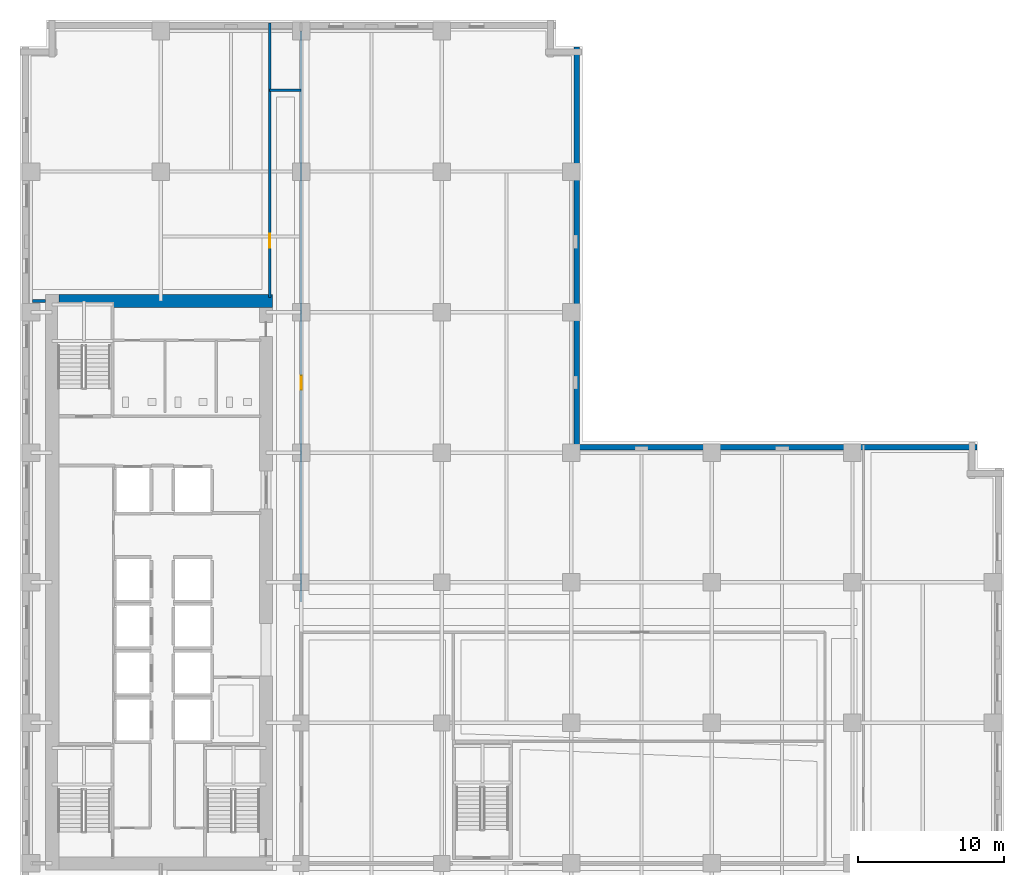
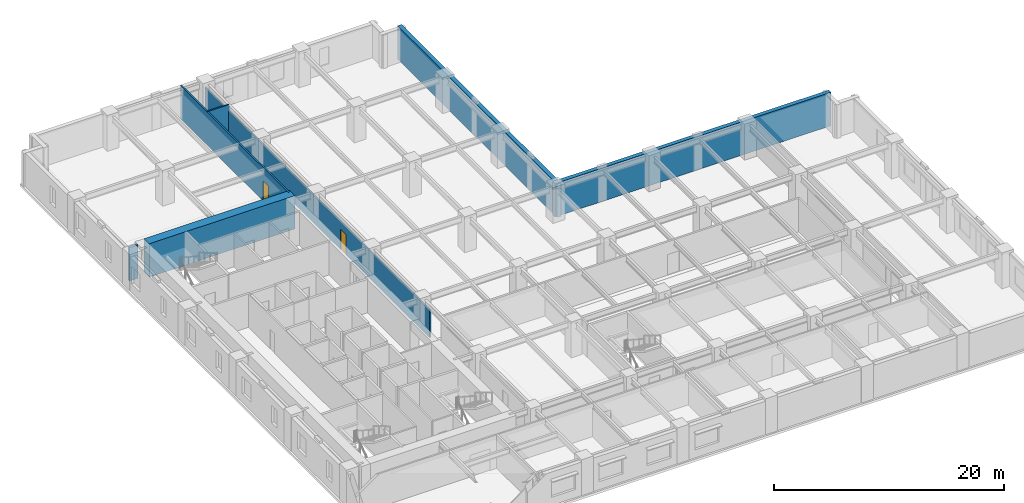
# One storey, part 7 of 14: 7 walls, 2 doors, 2 openings.
"""IFC4 building model written with IfcOpenShell, lengths in metres."""

from ifc_helpers import new_model, si_unit, direction, frame, frame_2d, origin, place, context, subcontext, project, spatial, rectangle, extrude, material, layer, layer_set, type_object, element, fill, save


model = new_model("IFC4")

# Units and contexts
model_context = context("Model", 3, precision=1e-05, world=origin(), true_north=direction((0.0, 1.0)))
body_context = subcontext(model_context, "Body", "Model", "MODEL_VIEW")
ifc_project = project(units=[si_unit("LENGTHUNIT", "METRE"), si_unit("AREAUNIT", "SQUARE_METRE"), si_unit("VOLUMEUNIT", "CUBIC_METRE"), si_unit("PLANEANGLEUNIT", "RADIAN"), si_unit("MASSUNIT", "GRAM", prefix="KILO")], contexts=[model_context])

# Site, building, storey
site_placement = place(None, origin())
site = spatial("IfcSite", under=ifc_project, at=site_placement, CompositionType="ELEMENT")
building_placement = place(site_placement, origin())
building = spatial("IfcBuilding", under=site, at=building_placement, Name="Norrvale University Quadrangle", CompositionType="ELEMENT")
storey_placement = place(building_placement, frame((0.0, 0.0, 28.0)))
storey = spatial("IfcBuildingStorey", under=building, at=storey_placement, Name="L06", CompositionType="ELEMENT", Elevation=28.0)

# Walls
ifc_material_1 = material(Name="Concrete C80/95", Category="concrete")
ifc_layer_1 = layer(ifc_material_1, 0.89990234375, Name="Concrete C80/95")
ifc_layer_set_1 = layer_set([ifc_layer_1], Name="Concrete C80/95")
wall_type_1 = type_object("IfcWallType", Name="Wall Core 900", PredefinedType="SHEAR", material=ifc_layer_set_1)
wall_1_placement = place(storey_placement, frame((2.64990234375, 48.0, 0.0), z_axis=(0.0, 0.0, 1.0), x_axis=(1.0, 0.0, 0.0)))
element("IfcWall", 1, at=wall_1_placement, inside=storey, type_object=wall_type_1, Name="Tower Core Shear Wall L06-N", PredefinedType="SHEAR", context=body_context, shape_type="SweptSolid", body=[
    extrude(rectangle(XDim=14.60009765625, YDim=0.89990234375, at=frame_2d((7.300048828125, 0.0))), origin(), (0.0, 0.0, 1.0), 3.5400390625),
])
ifc_material_2 = material(Name="Fire-Rated Gypsum Stud Partition")
ifc_layer_2 = layer(ifc_material_2, 0.14990234375, Name="Fire-Rated Gypsum Stud Partition")
ifc_layer_set_2 = layer_set([ifc_layer_2], Name="Fire-Rated Gypsum Stud Partition")
wall_type_2 = type_object("IfcWallType", Name="Wall Gypsum Corridor 150", PredefinedType="PARTITIONING", material=ifc_layer_set_2)
wall_2_placement = place(storey_placement, frame((17.050048828125, 62.39990234375, 0.0), z_axis=(0.0, 0.0, 1.0), x_axis=(1.0, 0.0, 0.0)))
element("IfcWall", 2, at=wall_2_placement, inside=storey, type_object=wall_type_2, Name="Interior Partition WL-L06-CN-END", PredefinedType="PARTITIONING", context=body_context, shape_type="SweptSolid", body=[
    extrude(rectangle(XDim=2.14990234375, YDim=0.14990234375, at=frame_2d((1.074951171875, 0.0))), origin(), (0.0, 0.0, 1.0), 3.5400390625),
])

# Wall, opening, door
wall_3_placement = place(storey_placement, frame((19.199951171875, 27.449951171875, 0.0), z_axis=(0.0, 0.0, 1.0), x_axis=(0.0, 1.0, 0.0)))
wall_3 = element("IfcWall", 3, at=wall_3_placement, inside=storey, type_object=wall_type_2, Name="Interior Partition WL-L06-NECW", PredefinedType="PARTITIONING", context=body_context, shape_type="SweptSolid", body=[
    extrude(rectangle(XDim=39.0, YDim=0.14990234375, at=frame_2d((19.5, 0.0))), origin(), (0.0, 0.0, 1.0), 2.923095703125),
])
opening_1_placement = place(wall_3_placement, frame((14.5, 0.0, 0.0)))
opening_1 = element("IfcOpeningElement", 4, at=opening_1_placement, cuts=wall_3, Name="Opening D07", PredefinedType="OPENING", context=body_context, shape_type="SweptSolid", body=[
    extrude(rectangle(XDim=0.949951171875, YDim=2.14990234375, at=frame_2d((0.47509765625, 1.074951171875))), frame((0.0, 0.0869140625, 0.0), z_axis=(0.0, -1.0, 0.0), x_axis=(1.0, 0.0, 0.0)), (0.0, 0.0, 1.0), 0.173828125),
])
ifc_material_3 = material(Name="Solid-Core Maple Door", Category="wood")
door_type = type_object("IfcDoorType", Name="Door Office 950x2150", OperationType="NOTDEFINED", PredefinedType="DOOR", material=ifc_material_3)
door_1_placement = place(opening_1_placement, origin())
door_1 = element("IfcDoor", 5, at=door_1_placement, inside=storey, type_object=door_type, Name="Door Office 950x2150 DR-L06-NE01", OperationType="SINGLE_SWING_RIGHT", OverallHeight=2.14990234375, OverallWidth=0.949951171875, PredefinedType="DOOR", context=body_context, shape_type="SweptSolid", body=[
    extrude(rectangle(XDim=0.949951171875, YDim=2.14990234375, at=frame_2d((0.47509765625, 1.074951171875))), frame((0.0, 0.02490234375, 0.0), z_axis=(0.0, -1.0, 0.0), x_axis=(1.0, 0.0, 0.0)), (0.0, 0.0, 1.0), 0.050048828125),
])
fill(opening_1, door_1)

wall_4_placement = place(storey_placement, frame((17.050048828125, 48.25, 0.0), z_axis=(0.0, 0.0, 1.0), x_axis=(0.0, 1.0, 0.0)))
wall_4 = element("IfcWall", 6, at=wall_4_placement, inside=storey, type_object=wall_type_2, Name="Interior Partition WL-L06-NWCW", PredefinedType="PARTITIONING", context=body_context, shape_type="SweptSolid", body=[
    extrude(rectangle(XDim=18.72998046875, YDim=0.14990234375, at=frame_2d((9.364990234375, 0.0))), origin(), (0.0, 0.0, 1.0), 3.5400390625),
])
opening_2_placement = place(wall_4_placement, frame((3.39990234375, 0.0, 0.0)))
opening_2 = element("IfcOpeningElement", 7, at=opening_2_placement, cuts=wall_4, Name="Opening D07", PredefinedType="OPENING", context=body_context, shape_type="SweptSolid", body=[
    extrude(rectangle(XDim=0.949951171875, YDim=2.14990234375, at=frame_2d((0.47509765625, 1.074951171875))), frame((0.0, 0.0869140625, 0.0), z_axis=(0.0, -1.0, 0.0), x_axis=(1.0, 0.0, 0.0)), (0.0, 0.0, 1.0), 0.173828125),
])
door_2_placement = place(opening_2_placement, origin())
door_2 = element("IfcDoor", 8, at=door_2_placement, inside=storey, type_object=door_type, Name="Door Office 950x2150 DR-L06-NW01", OperationType="SINGLE_SWING_RIGHT", OverallHeight=2.14990234375, OverallWidth=0.949951171875, PredefinedType="DOOR", context=body_context, shape_type="SweptSolid", body=[
    extrude(rectangle(XDim=0.949951171875, YDim=2.14990234375, at=frame_2d((0.47509765625, 1.074951171875))), frame((0.0, 0.02490234375, 0.0), z_axis=(0.0, -1.0, 0.0), x_axis=(1.0, 0.0, 0.0)), (0.0, 0.0, 1.0), 0.050048828125),
])
fill(opening_2, door_2)

# Walls
ifc_material_4 = material(Name="Concrete Blockwork 20 MPa Rated Wall", Category="masonry")
ifc_layer_3 = layer(ifc_material_4, 0.199951171875, Name="Concrete Blockwork 20 MPa Rated Wall")
ifc_layer_set_3 = layer_set([ifc_layer_3], Name="Concrete Blockwork 20 MPa Rated Wall")
wall_type_3 = type_object("IfcWallType", Name="Wall Lobby 200", PredefinedType="SOLIDWALL", material=ifc_layer_set_3)
wall_5_placement = place(storey_placement, frame((0.85009765625, 48.0, 0.0), z_axis=(0.0, 0.0, 1.0), x_axis=(1.0, 0.0, 0.0)))
element("IfcWall", 9, at=wall_5_placement, inside=storey, type_object=wall_type_3, Name="Interior Partition WL-L06-CWRET-N", PredefinedType="SOLIDWALL", context=body_context, shape_type="SweptSolid", body=[
    extrude(rectangle(XDim=0.89501953125, YDim=0.199951171875, at=frame_2d((0.447509765625, 0.0))), origin(), (0.0, 0.0, 1.0), 3.5400390625),
])
ifc_material_5 = material(Name="Red Manganese Brick Masonry", Category="masonry")
ifc_layer_4 = layer(ifc_material_5, 0.39990234375, Name="Red Manganese Brick Masonry")
ifc_layer_set_4 = layer_set([ifc_layer_4], Name="Red Manganese Brick Masonry")
wall_type_4 = type_object("IfcWallType", Name="Wall Red Brick 400", PredefinedType="SOLIDWALL", material=ifc_layer_set_4)
for number, where, z_axis, x_axis, name in (
    (10, (65.360107421875, 38.02001953125, 0.0), (0.0, 0.0, 1.0), (-1.0, 0.0, 0.0), "Exterior Brick Facade Wall L06-07.1"),
    (11, (38.02001953125, 37.679931640625, 0.0), (0.0, 0.0, 1.0), (0.0, 1.0, 0.0), "Exterior Brick Facade Wall L06-08.1"),
):
    element("IfcWall", number, at=place(storey_placement, frame(where, z_axis=z_axis, x_axis=x_axis)), inside=storey, type_object=wall_type_4, Name=name, PredefinedType="SOLIDWALL", context=body_context, shape_type="SweptSolid", body=[
        extrude(rectangle(XDim=27.68017578125, YDim=0.39990234375, at=frame_2d((13.840087890625, 0.0))), origin(), (0.0, 0.0, 1.0), 3.5400390625),
    ])

save(model, "model.ifc")
